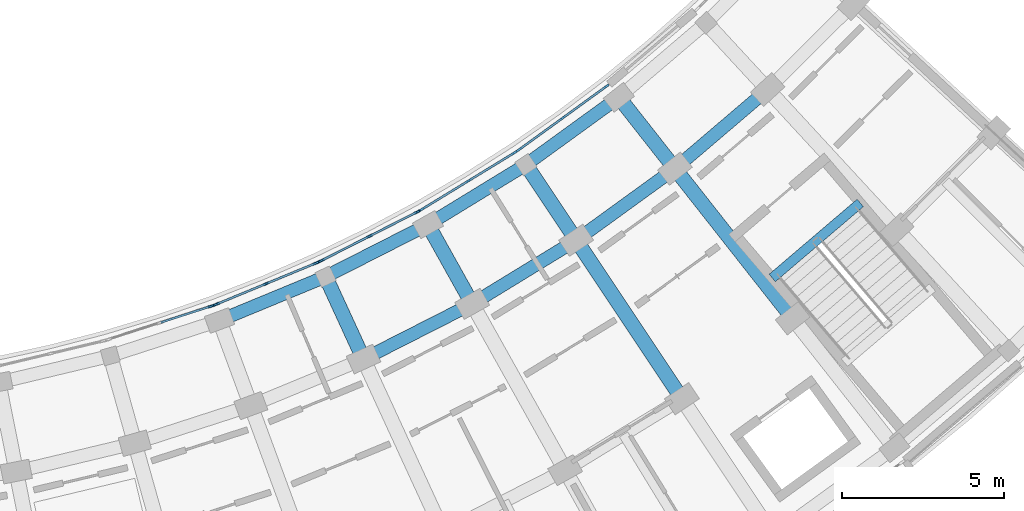
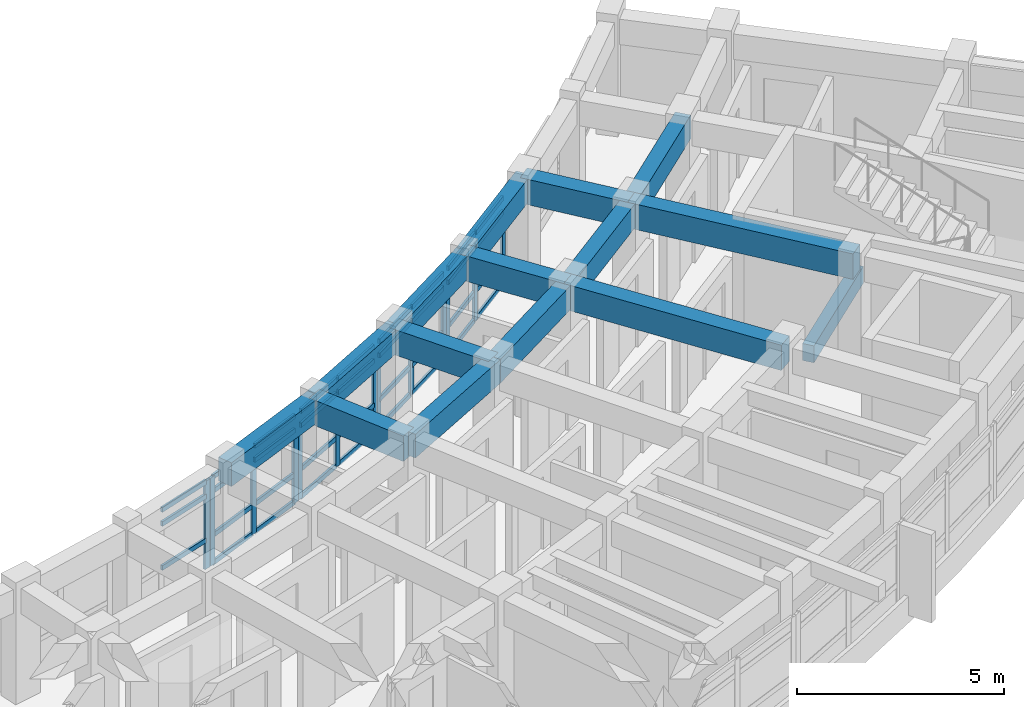
# One storey, part 39 of 83: 48 members, 15 beams, 5 elements without a shape of their own.
"""IFC4 building model written with IfcOpenShell, lengths in metres."""

from ifc_helpers import new_model, si_unit, direction, frame, origin, origin_2d, place, context, subcontext, project, spatial, rectangle, extrude, material, material_profile, profile_set, type_object, element, aggregate, save


model = new_model("IFC4")

# Units and contexts
model_context = context("Model", 3, precision=1e-05, world=origin(), true_north=direction((0.0, 1.0)))
body_context = subcontext(model_context, "Body", "Model", "MODEL_VIEW")
ifc_project = project(units=[si_unit("LENGTHUNIT", "METRE"), si_unit("AREAUNIT", "SQUARE_METRE"), si_unit("VOLUMEUNIT", "CUBIC_METRE"), si_unit("PLANEANGLEUNIT", "RADIAN"), si_unit("MASSUNIT", "GRAM", prefix="KILO")], contexts=[model_context])

# Site, building, storey
site_placement = place(None, origin())
site = spatial("IfcSite", under=ifc_project, at=site_placement, CompositionType="ELEMENT")
building_placement = place(site_placement, origin())
building = spatial("IfcBuilding", under=site, at=building_placement, Name="Zimvara Arc Housing Community", CompositionType="ELEMENT")
storey_placement = place(building_placement, frame((0.0, 0.0, 4.5)))
storey = spatial("IfcBuildingStorey", under=building, at=storey_placement, Name="L01", CompositionType="ELEMENT", Elevation=4.5)

# Beams
ifc_material_1 = material(Name="Concrete C40/50", Category="concrete")
ifc_material_profile_1 = material_profile(ifc_material_1, rectangle(XDim=0.300048828125, YDim=0.5, at=origin_2d()), Name="RC 300x500")
ifc_profile_set_1 = profile_set([ifc_material_profile_1], Name="Concrete C40/50")
beam_type_1 = type_object("IfcBeamType", Name="BM-RC-300x500", PredefinedType="BEAM", material=ifc_profile_set_1)
beam_1_placement = place(storey_placement, frame((158.617919921875, 68.826904296875, -0.25), z_axis=(0.760986863652, 0.648767287515, 0.0), x_axis=(-0.648767287515, 0.760986863652, 0.0)))
element("IfcBeam", 1, at=beam_1_placement, inside=storey, type_object=beam_type_1, Name="bm:stair_trim:ST-D2:L01:near", PredefinedType="BEAM", context=body_context, shape_type="SweptSolid", body=[
    extrude(rectangle(XDim=0.300048828125, YDim=0.5, at=origin_2d()), origin(), (0.0, 0.0, 1.0), 3.570068359375),
])
ifc_material_2 = material(Name="Concrete C40/50", Category="concrete")
ifc_material_profile_2 = material_profile(ifc_material_2, rectangle(XDim=0.39990234375, YDim=0.699951171875, at=origin_2d()), Name="RC 400x700")
ifc_profile_set_2 = profile_set([ifc_material_profile_2], Name="Concrete C40/50")
beam_type_2 = type_object("IfcBeamType", Name="BM-RC-400x700", PredefinedType="BEAM", material=ifc_profile_set_2)
beam_2_placement = place(storey_placement, frame((141.559814453125, 67.51513671875, 3.010009765625), z_axis=(0.924206445561, 0.381893238987, 0.0), x_axis=(-0.381893238987, 0.924206445561, 0.0)))
element("IfcBeam", 2, at=beam_2_placement, inside=storey, type_object=beam_type_2, Name="bm:blkD:L01:chord:r0:b4", PredefinedType="BEAM", context=body_context, shape_type="SweptSolid", body=[
    extrude(rectangle(XDim=0.39990234375, YDim=0.699951171875, at=origin_2d()), origin(), (0.0, 0.0, 1.0), 3.54296875),
])
beam_3_placement = place(storey_placement, frame((144.834228515625, 68.8681640625, 3.010009765625), z_axis=(0.891388433472, 0.453240179895, 0.0), x_axis=(-0.453240179895, 0.891388433472, 0.0)))
element("IfcBeam", 3, at=beam_3_placement, inside=storey, type_object=beam_type_2, Name="bm:blkD:L01:chord:r0:b5", PredefinedType="BEAM", context=body_context, shape_type="SweptSolid", body=[
    extrude(rectangle(XDim=0.39990234375, YDim=0.699951171875, at=origin_2d()), origin(), (0.0, 0.0, 1.0), 3.542724609375),
])
beam_4_placement = place(storey_placement, frame((147.9921875, 70.473876953125, 3.010009765625), z_axis=(0.853114855616, 0.52172314797, 0.0), x_axis=(-0.52172314797, 0.853114855616, 0.0)))
element("IfcBeam", 4, at=beam_4_placement, inside=storey, type_object=beam_type_2, Name="bm:blkD:L01:chord:r0:b6", PredefinedType="BEAM", context=body_context, shape_type="SweptSolid", body=[
    extrude(rectangle(XDim=0.39990234375, YDim=0.699951171875, at=origin_2d()), origin(), (0.0, 0.0, 1.0), 3.54296875),
])
beam_5_placement = place(storey_placement, frame((151.0146484375, 72.322265625, 3.010009765625), z_axis=(0.809531019898, 0.587077105517, 0.0), x_axis=(-0.587077105517, 0.809531019898, 0.0)))
element("IfcBeam", 5, at=beam_5_placement, inside=storey, type_object=beam_type_2, Name="bm:blkD:L01:chord:r0:b7", PredefinedType="BEAM", context=body_context, shape_type="SweptSolid", body=[
    extrude(rectangle(XDim=0.39990234375, YDim=0.699951171875, at=origin_2d()), origin(), (0.0, 0.0, 1.0), 3.542724609375),
])
for number, where, z_axis, x_axis, name in (
    (6, (146.004150390625, 66.32421875, 3.010009765625), (0.891396237924, 0.453224830536, 0.0), (-0.453224830536, 0.891396237924, 0.0), "bm:blkD:L01:chord:r1:b5"),
    (7, (149.358154296875, 68.029541015625, 3.010009765625), (0.853105356478, 0.521738680517, 0.0), (-0.521738680517, 0.853105356478, 0.0), "bm:blkD:L01:chord:r1:b6"),
    (8, (152.568115234375, 69.99267578125, 3.010009765625), (0.809521012702, 0.58709090437, 0.0), (-0.58709090437, 0.809521012702, 0.0), "bm:blkD:L01:chord:r1:b7"),
    (9, (155.614013671875, 72.20166015625, 3.010009765625), (0.760971502801, 0.648785304955, 0.0), (-0.648785304955, 0.760971502801, 0.0), "bm:blkD:L01:chord:r1:b8"),
):
    element("IfcBeam", number, at=place(storey_placement, frame(where, z_axis=z_axis, x_axis=x_axis)), inside=storey, type_object=beam_type_2, Name=name, PredefinedType="BEAM", context=body_context, shape_type="SweptSolid", body=[
        extrude(rectangle(XDim=0.39990234375, YDim=0.699951171875, at=origin_2d()), origin(), (0.0, 0.0, 1.0), 3.7626953125),
    ])
ifc_material_3 = material(Name="Concrete C40/50", Category="concrete")
ifc_material_profile_3 = material_profile(ifc_material_3, rectangle(XDim=0.449951171875, YDim=0.75, at=origin_2d()), Name="RC 450x750")
ifc_profile_set_3 = profile_set([ifc_material_profile_3], Name="Concrete C40/50")
beam_type_3 = type_object("IfcBeamType", Name="BM-RC-450x750", PredefinedType="BEAM", material=ifc_profile_set_3)
for number, where, z_axis, x_axis, name in (
    (10, (144.834228515625, 68.8681640625, 2.985107421875), (0.417819250126, -0.908530172435, 0.0), (0.908530172435, 0.417819250126, 0.0), "bm:blkD:L01:rad:b5:r01"),
    (11, (147.9921875, 70.473876953125, 2.985107421875), (0.487825265957, -0.87294129808, 0.0), (0.87294129808, 0.487825265957, 0.0), "bm:blkD:L01:rad:b6:r01"),
    (12, (151.0146484375, 72.322265625, 2.985107421875), (0.55480079798, -0.831983217716, 0.0), (0.831983217716, 0.55480079798, 0.0), "bm:blkD:L01:rad:b7:r01"),
):
    element("IfcBeam", number, at=place(storey_placement, frame(where, z_axis=z_axis, x_axis=x_axis)), inside=storey, type_object=beam_type_3, Name=name, PredefinedType="BEAM", context=body_context, shape_type="SweptSolid", body=[
        extrude(rectangle(XDim=0.449951171875, YDim=0.75, at=origin_2d()), origin(), (0.0, 0.0, 1.0), 2.800048828125),
    ])
beam_6_placement = place(storey_placement, frame((152.568115234375, 69.99267578125, 2.985107421875), z_axis=(0.554843914175, -0.831954464441, 0.0), x_axis=(0.831954464441, 0.554843914175, 0.0)))
element("IfcBeam", 13, at=beam_6_placement, inside=storey, type_object=beam_type_3, Name="bm:blkD:L01:rad:b7:r12", PredefinedType="BEAM", context=body_context, shape_type="SweptSolid", body=[
    extrude(rectangle(XDim=0.449951171875, YDim=0.75, at=origin_2d()), origin(), (0.0, 0.0, 1.0), 5.8798828125),
])
beam_7_placement = place(storey_placement, frame((153.882568359375, 74.402099609375, 2.985107421875), z_axis=(0.618379767762, -0.785879420028, 0.0), x_axis=(0.785879420028, 0.618379767762, 0.0)))
element("IfcBeam", 14, at=beam_7_placement, inside=storey, type_object=beam_type_3, Name="bm:blkD:L01:rad:b8:r01", PredefinedType="BEAM", context=body_context, shape_type="SweptSolid", body=[
    extrude(rectangle(XDim=0.449951171875, YDim=0.75, at=origin_2d()), origin(), (0.0, 0.0, 1.0), 2.800048828125),
])
beam_8_placement = place(storey_placement, frame((155.614013671875, 72.20166015625, 2.985107421875), z_axis=(0.618431976389, -0.785838336161, 0.0), x_axis=(0.785838336161, 0.618431976389, 0.0)))
element("IfcBeam", 15, at=beam_8_placement, inside=storey, type_object=beam_type_3, Name="bm:blkD:L01:rad:b8:r12", PredefinedType="BEAM", context=body_context, shape_type="SweptSolid", body=[
    extrude(rectangle(XDim=0.449951171875, YDim=0.75, at=origin_2d()), origin(), (0.0, 0.0, 1.0), 5.880126953125),
])

# Curtain wall, member
ifc_material_4 = material(Name="Anodised Aluminium AW-6063", Category="aluminium")
curtain_wall_type_1 = type_object("IfcCurtainWallType", Name="CW-SYS-02", PredefinedType="USERDEFINED", material=ifc_material_4)
curtain_wall_1_placement = place(storey_placement, origin())
curtain_wall_1 = element("IfcCurtainWall", 16, at=curtain_wall_1_placement, inside=storey, type_object=curtain_wall_type_1, Name="cw:blkD:L01:in:b3", ObjectType="CURTAIN WALL", PredefinedType="USERDEFINED")
ifc_material_5 = material(Name="Anodised Aluminium AW-6063", Category="aluminium")
ifc_material_profile_4 = material_profile(ifc_material_5, rectangle(XDim=0.06494140625, YDim=0.179931640625, at=origin_2d()), Name="ALU 65x180")
ifc_profile_set_4 = profile_set([ifc_material_profile_4], Name="Anodised Aluminium AW-6063")
member_type_1 = type_object("IfcMemberType", Name="CWM-65x150", PredefinedType="MULLION", material=ifc_profile_set_4)
member_1_placement = place(storey_placement, frame((141.29931640625, 67.9560546875, 0.0), z_axis=(0.0, 0.0, 1.0), x_axis=(-0.308185223559, 0.951326373008, 0.0)))
member_1 = element("IfcMember", 17, at=member_1_placement, type_object=member_type_1, Name="CW02 mullion 3", PredefinedType="MULLION", context=body_context, shape_type="SweptSolid", body=[
    extrude(rectangle(XDim=0.06494140625, YDim=0.179931640625, at=origin_2d()), origin(), (0.0, 0.0, 1.0), 2.60009765625),
])

# Curtain wall, members
ifc_material_6 = material(Name="Anodised Aluminium AW-6063", Category="aluminium")
curtain_wall_type_2 = type_object("IfcCurtainWallType", Name="CW-SYS-04", PredefinedType="USERDEFINED", material=ifc_material_6)
curtain_wall_2_placement = place(storey_placement, origin())
curtain_wall_2 = element("IfcCurtainWall", 18, at=curtain_wall_2_placement, inside=storey, type_object=curtain_wall_type_2, Name="cw:blkD:L01:in:b4", ObjectType="CURTAIN WALL", PredefinedType="USERDEFINED")
member_2_placement = place(storey_placement, frame((141.47265625, 68.019775390625, 0.0), z_axis=(0.0, 0.0, 1.0), x_axis=(-0.381877167728, 0.924213086235, 0.0)))
member_2 = element("IfcMember", 19, at=member_2_placement, type_object=member_type_1, Name="CW04 mullion 1", PredefinedType="MULLION", context=body_context, shape_type="SweptSolid", body=[
    extrude(rectangle(XDim=0.06494140625, YDim=0.179931640625, at=origin_2d()), origin(), (0.0, 0.0, 1.0), 2.60009765625),
])
member_3_placement = place(storey_placement, frame((143.006103515625, 68.6533203125, 0.0), z_axis=(0.0, 0.0, 1.0), x_axis=(-0.381877167728, 0.924213086235, 0.0)))
member_3 = element("IfcMember", 20, at=member_3_placement, type_object=member_type_1, Name="CW04 mullion 2", PredefinedType="MULLION", context=body_context, shape_type="SweptSolid", body=[
    extrude(rectangle(XDim=0.06494140625, YDim=0.179931640625, at=origin_2d()), origin(), (0.0, 0.0, 1.0), 2.60009765625),
])
member_4_placement = place(storey_placement, frame((144.539794921875, 69.287109375, 0.0), z_axis=(0.0, 0.0, 1.0), x_axis=(-0.381877167728, 0.924213086235, 0.0)))
member_4 = element("IfcMember", 21, at=member_4_placement, type_object=member_type_1, Name="CW04 mullion 3", PredefinedType="MULLION", context=body_context, shape_type="SweptSolid", body=[
    extrude(rectangle(XDim=0.06494140625, YDim=0.179931640625, at=origin_2d()), origin(), (0.0, 0.0, 1.0), 2.60009765625),
])

ifc_material_7 = material(Name="Anodised Aluminium AW-6063", Category="aluminium")
curtain_wall_type_3 = type_object("IfcCurtainWallType", Name="CW-SYS-06", PredefinedType="USERDEFINED", material=ifc_material_7)
curtain_wall_3_placement = place(storey_placement, origin())
curtain_wall_3 = element("IfcCurtainWall", 22, at=curtain_wall_3_placement, inside=storey, type_object=curtain_wall_type_3, Name="cw:blkD:L01:in:b5", ObjectType="CURTAIN WALL", PredefinedType="USERDEFINED")
member_5_placement = place(storey_placement, frame((144.707763671875, 69.3642578125, 0.0), z_axis=(0.0, 0.0, 1.0), x_axis=(-0.453211411267, 0.89140306074, 0.0)))
member_5 = element("IfcMember", 23, at=member_5_placement, type_object=member_type_1, Name="CW06 mullion 1", PredefinedType="MULLION", context=body_context, shape_type="SweptSolid", body=[
    extrude(rectangle(XDim=0.06494140625, YDim=0.179931640625, at=origin_2d()), origin(), (0.0, 0.0, 1.0), 2.60009765625),
])
member_6_placement = place(storey_placement, frame((146.186767578125, 70.1162109375, 0.0), z_axis=(0.0, 0.0, 1.0), x_axis=(-0.453211411267, 0.89140306074, 0.0)))
member_6 = element("IfcMember", 24, at=member_6_placement, type_object=member_type_1, Name="CW06 mullion 2", PredefinedType="MULLION", context=body_context, shape_type="SweptSolid", body=[
    extrude(rectangle(XDim=0.06494140625, YDim=0.179931640625, at=origin_2d()), origin(), (0.0, 0.0, 1.0), 2.60009765625),
])
member_7_placement = place(storey_placement, frame((147.665771484375, 70.868408203125, 0.0), z_axis=(0.0, 0.0, 1.0), x_axis=(-0.453211411267, 0.89140306074, 0.0)))
member_7 = element("IfcMember", 25, at=member_7_placement, type_object=member_type_1, Name="CW06 mullion 3", PredefinedType="MULLION", context=body_context, shape_type="SweptSolid", body=[
    extrude(rectangle(XDim=0.06494140625, YDim=0.179931640625, at=origin_2d()), origin(), (0.0, 0.0, 1.0), 2.60009765625),
])

ifc_material_8 = material(Name="Anodised Aluminium AW-6063", Category="aluminium")
curtain_wall_type_4 = type_object("IfcCurtainWallType", Name="CW-SYS-08", PredefinedType="USERDEFINED", material=ifc_material_8)
curtain_wall_4_placement = place(storey_placement, origin())
curtain_wall_4 = element("IfcCurtainWall", 26, at=curtain_wall_4_placement, inside=storey, type_object=curtain_wall_type_4, Name="cw:blkD:L01:in:b6", ObjectType="CURTAIN WALL", PredefinedType="USERDEFINED")
member_8_placement = place(storey_placement, frame((147.8271484375, 70.95849609375, 0.0), z_axis=(0.0, 0.0, 1.0), x_axis=(-0.521754224526, 0.853095849943, 0.0)))
member_8 = element("IfcMember", 27, at=member_8_placement, type_object=member_type_1, Name="CW08 mullion 1", PredefinedType="MULLION", context=body_context, shape_type="SweptSolid", body=[
    extrude(rectangle(XDim=0.06494140625, YDim=0.179931640625, at=origin_2d()), origin(), (0.0, 0.0, 1.0), 2.60009765625),
])
member_9_placement = place(storey_placement, frame((149.24267578125, 71.82421875, 0.0), z_axis=(0.0, 0.0, 1.0), x_axis=(-0.521754224526, 0.853095849943, 0.0)))
member_9 = element("IfcMember", 28, at=member_9_placement, type_object=member_type_1, Name="CW08 mullion 2", PredefinedType="MULLION", context=body_context, shape_type="SweptSolid", body=[
    extrude(rectangle(XDim=0.06494140625, YDim=0.179931640625, at=origin_2d()), origin(), (0.0, 0.0, 1.0), 2.60009765625),
])
member_10_placement = place(storey_placement, frame((150.658203125, 72.68994140625, 0.0), z_axis=(0.0, 0.0, 1.0), x_axis=(-0.521754224526, 0.853095849943, 0.0)))
member_10 = element("IfcMember", 29, at=member_10_placement, type_object=member_type_1, Name="CW08 mullion 3", PredefinedType="MULLION", context=body_context, shape_type="SweptSolid", body=[
    extrude(rectangle(XDim=0.06494140625, YDim=0.179931640625, at=origin_2d()), origin(), (0.0, 0.0, 1.0), 2.60009765625),
])

curtain_wall_5_placement = place(storey_placement, origin())
curtain_wall_5 = element("IfcCurtainWall", 30, at=curtain_wall_5_placement, inside=storey, type_object=curtain_wall_type_1, Name="cw:blkD:L01:in:b7", ObjectType="CURTAIN WALL", PredefinedType="USERDEFINED")
member_11_placement = place(storey_placement, frame((150.81201171875, 72.79248046875, 0.0), z_axis=(0.0, 0.0, 1.0), x_axis=(-0.587079343755, 0.809529396709, 0.0)))
member_11 = element("IfcMember", 31, at=member_11_placement, type_object=member_type_1, Name="CW02 mullion 1", PredefinedType="MULLION", context=body_context, shape_type="SweptSolid", body=[
    extrude(rectangle(XDim=0.06494140625, YDim=0.179931640625, at=origin_2d()), origin(), (0.0, 0.0, 1.0), 2.60009765625),
])
member_12_placement = place(storey_placement, frame((152.1552734375, 73.7666015625, 0.0), z_axis=(0.0, 0.0, 1.0), x_axis=(-0.587079343755, 0.809529396709, 0.0)))
member_12 = element("IfcMember", 32, at=member_12_placement, type_object=member_type_1, Name="CW02 mullion 2", PredefinedType="MULLION", context=body_context, shape_type="SweptSolid", body=[
    extrude(rectangle(XDim=0.06494140625, YDim=0.179931640625, at=origin_2d()), origin(), (0.0, 0.0, 1.0), 2.60009765625),
])
member_13_placement = place(storey_placement, frame((153.49853515625, 74.74072265625, 0.0), z_axis=(0.0, 0.0, 1.0), x_axis=(-0.587079343755, 0.809529396709, 0.0)))
member_13 = element("IfcMember", 33, at=member_13_placement, type_object=member_type_1, Name="CW02 mullion 3", PredefinedType="MULLION", context=body_context, shape_type="SweptSolid", body=[
    extrude(rectangle(XDim=0.06494140625, YDim=0.179931640625, at=origin_2d()), origin(), (0.0, 0.0, 1.0), 2.60009765625),
])

# Member
ifc_material_9 = material(Name="Anodised Aluminium AW-6063", Category="aluminium")
ifc_material_profile_5 = material_profile(ifc_material_9, rectangle(XDim=0.06494140625, YDim=0.139892578125, at=origin_2d()), Name="ALU 65x140")
ifc_profile_set_5 = profile_set([ifc_material_profile_5], Name="Anodised Aluminium AW-6063")
member_type_2 = type_object("IfcMemberType", Name="CWT-65x120", PredefinedType="USERDEFINED", material=ifc_profile_set_5)
member_14_placement = place(storey_placement, frame((139.751708984375, 67.45458984375, 0.85009765625), z_axis=(0.951344209493, 0.308130159289, 0.0), x_axis=(-0.308130159289, 0.951344209493, 0.0)))
member_14 = element("IfcMember", 34, at=member_14_placement, type_object=member_type_2, Name="CW02 transom 2.2", ObjectType="TRANSOM", PredefinedType="USERDEFINED", context=body_context, shape_type="SweptSolid", body=[
    extrude(rectangle(XDim=0.06494140625, YDim=0.139892578125, at=origin_2d()), origin(), (0.0, 0.0, 1.0), 1.59423828125),
])

member_15_placement = place(storey_placement, frame((139.751708984375, 67.45458984375, 2.14990234375), z_axis=(0.951344209493, 0.308130159289, 0.0), x_axis=(-0.308130159289, 0.951344209493, 0.0)))
member_15 = element("IfcMember", 35, at=member_15_placement, type_object=member_type_2, Name="CW02 transom 2.3", ObjectType="TRANSOM", PredefinedType="USERDEFINED", context=body_context, shape_type="SweptSolid", body=[
    extrude(rectangle(XDim=0.06494140625, YDim=0.139892578125, at=origin_2d()), origin(), (0.0, 0.0, 1.0), 1.59423828125),
])

member_16_placement = place(storey_placement, frame((139.751708984375, 67.45458984375, 2.5673828125), z_axis=(0.951344209493, 0.308130159289, 0.0), x_axis=(-0.308130159289, 0.951344209493, 0.0)))
member_16 = element("IfcMember", 36, at=member_16_placement, type_object=member_type_2, Name="CW02 transom 2.4", ObjectType="TRANSOM", PredefinedType="USERDEFINED", context=body_context, shape_type="SweptSolid", body=[
    extrude(rectangle(XDim=0.06494140625, YDim=0.139892578125, at=origin_2d()), origin(), (0.0, 0.0, 1.0), 1.59423828125),
])

aggregate(curtain_wall_1, [member_1, member_14, member_15, member_16])

member_17_placement = place(storey_placement, frame((141.502685546875, 68.0322265625, 0.032470703125), z_axis=(0.924246154264, 0.381797127188, 0.0), x_axis=(-0.381797127188, 0.924246154264, 0.0)))
member_17 = element("IfcMember", 37, at=member_17_placement, type_object=member_type_2, Name="CW04 transom 1.1", ObjectType="TRANSOM", PredefinedType="USERDEFINED", context=body_context, shape_type="SweptSolid", body=[
    extrude(rectangle(XDim=0.06494140625, YDim=0.139892578125, at=origin_2d()), origin(), (0.0, 0.0, 1.0), 1.59423828125),
])

member_18_placement = place(storey_placement, frame((141.502685546875, 68.0322265625, 0.85009765625), z_axis=(0.924246154264, 0.381797127188, 0.0), x_axis=(-0.381797127188, 0.924246154264, 0.0)))
member_18 = element("IfcMember", 38, at=member_18_placement, type_object=member_type_2, Name="CW04 transom 1.2", ObjectType="TRANSOM", PredefinedType="USERDEFINED", context=body_context, shape_type="SweptSolid", body=[
    extrude(rectangle(XDim=0.06494140625, YDim=0.139892578125, at=origin_2d()), origin(), (0.0, 0.0, 1.0), 1.59423828125),
])

member_19_placement = place(storey_placement, frame((141.502685546875, 68.0322265625, 2.14990234375), z_axis=(0.924246154264, 0.381797127188, 0.0), x_axis=(-0.381797127188, 0.924246154264, 0.0)))
member_19 = element("IfcMember", 39, at=member_19_placement, type_object=member_type_2, Name="CW04 transom 1.3", ObjectType="TRANSOM", PredefinedType="USERDEFINED", context=body_context, shape_type="SweptSolid", body=[
    extrude(rectangle(XDim=0.06494140625, YDim=0.139892578125, at=origin_2d()), origin(), (0.0, 0.0, 1.0), 1.59423828125),
])

member_20_placement = place(storey_placement, frame((141.502685546875, 68.0322265625, 2.5673828125), z_axis=(0.924246154264, 0.381797127188, 0.0), x_axis=(-0.381797127188, 0.924246154264, 0.0)))
member_20 = element("IfcMember", 40, at=member_20_placement, type_object=member_type_2, Name="CW04 transom 1.4", ObjectType="TRANSOM", PredefinedType="USERDEFINED", context=body_context, shape_type="SweptSolid", body=[
    extrude(rectangle(XDim=0.06494140625, YDim=0.139892578125, at=origin_2d()), origin(), (0.0, 0.0, 1.0), 1.59423828125),
])

member_21_placement = place(storey_placement, frame((143.036376953125, 68.665771484375, 0.032470703125), z_axis=(0.924192106257, 0.381927939189, 0.0), x_axis=(-0.381927939189, 0.924192106257, 0.0)))
member_21 = element("IfcMember", 41, at=member_21_placement, type_object=member_type_2, Name="CW04 transom 2.1", ObjectType="TRANSOM", PredefinedType="USERDEFINED", context=body_context, shape_type="SweptSolid", body=[
    extrude(rectangle(XDim=0.06494140625, YDim=0.139892578125, at=origin_2d()), origin(), (0.0, 0.0, 1.0), 1.59423828125),
])

member_22_placement = place(storey_placement, frame((143.036376953125, 68.665771484375, 0.85009765625), z_axis=(0.924192106257, 0.381927939189, 0.0), x_axis=(-0.381927939189, 0.924192106257, 0.0)))
member_22 = element("IfcMember", 42, at=member_22_placement, type_object=member_type_2, Name="CW04 transom 2.2", ObjectType="TRANSOM", PredefinedType="USERDEFINED", context=body_context, shape_type="SweptSolid", body=[
    extrude(rectangle(XDim=0.06494140625, YDim=0.139892578125, at=origin_2d()), origin(), (0.0, 0.0, 1.0), 1.59423828125),
])

member_23_placement = place(storey_placement, frame((143.036376953125, 68.665771484375, 2.14990234375), z_axis=(0.924192106257, 0.381927939189, 0.0), x_axis=(-0.381927939189, 0.924192106257, 0.0)))
member_23 = element("IfcMember", 43, at=member_23_placement, type_object=member_type_2, Name="CW04 transom 2.3", ObjectType="TRANSOM", PredefinedType="USERDEFINED", context=body_context, shape_type="SweptSolid", body=[
    extrude(rectangle(XDim=0.06494140625, YDim=0.139892578125, at=origin_2d()), origin(), (0.0, 0.0, 1.0), 1.59423828125),
])

member_24_placement = place(storey_placement, frame((143.036376953125, 68.665771484375, 2.5673828125), z_axis=(0.924192106257, 0.381927939189, 0.0), x_axis=(-0.381927939189, 0.924192106257, 0.0)))
member_24 = element("IfcMember", 44, at=member_24_placement, type_object=member_type_2, Name="CW04 transom 2.4", ObjectType="TRANSOM", PredefinedType="USERDEFINED", context=body_context, shape_type="SweptSolid", body=[
    extrude(rectangle(XDim=0.06494140625, YDim=0.139892578125, at=origin_2d()), origin(), (0.0, 0.0, 1.0), 1.59423828125),
])

aggregate(curtain_wall_2, [member_2, member_3, member_4, member_17, member_18, member_19, member_20, member_21, member_22, member_23, member_24])

member_25_placement = place(storey_placement, frame((144.736572265625, 69.37890625, 0.032470703125), z_axis=(0.891374643948, 0.453267298761, 0.0), x_axis=(-0.453267298761, 0.891374643948, 0.0)))
member_25 = element("IfcMember", 45, at=member_25_placement, type_object=member_type_2, Name="CW06 transom 1.1", ObjectType="TRANSOM", PredefinedType="USERDEFINED", context=body_context, shape_type="SweptSolid", body=[
    extrude(rectangle(XDim=0.06494140625, YDim=0.139892578125, at=origin_2d()), origin(), (0.0, 0.0, 1.0), 1.59423828125),
])

member_26_placement = place(storey_placement, frame((144.736572265625, 69.37890625, 0.85009765625), z_axis=(0.891374643948, 0.453267298761, 0.0), x_axis=(-0.453267298761, 0.891374643948, 0.0)))
member_26 = element("IfcMember", 46, at=member_26_placement, type_object=member_type_2, Name="CW06 transom 1.2", ObjectType="TRANSOM", PredefinedType="USERDEFINED", context=body_context, shape_type="SweptSolid", body=[
    extrude(rectangle(XDim=0.06494140625, YDim=0.139892578125, at=origin_2d()), origin(), (0.0, 0.0, 1.0), 1.59423828125),
])

member_27_placement = place(storey_placement, frame((144.736572265625, 69.37890625, 2.14990234375), z_axis=(0.891374643948, 0.453267298761, 0.0), x_axis=(-0.453267298761, 0.891374643948, 0.0)))
member_27 = element("IfcMember", 47, at=member_27_placement, type_object=member_type_2, Name="CW06 transom 1.3", ObjectType="TRANSOM", PredefinedType="USERDEFINED", context=body_context, shape_type="SweptSolid", body=[
    extrude(rectangle(XDim=0.06494140625, YDim=0.139892578125, at=origin_2d()), origin(), (0.0, 0.0, 1.0), 1.59423828125),
])

member_28_placement = place(storey_placement, frame((144.736572265625, 69.37890625, 2.5673828125), z_axis=(0.891374643948, 0.453267298761, 0.0), x_axis=(-0.453267298761, 0.891374643948, 0.0)))
member_28 = element("IfcMember", 48, at=member_28_placement, type_object=member_type_2, Name="CW06 transom 1.4", ObjectType="TRANSOM", PredefinedType="USERDEFINED", context=body_context, shape_type="SweptSolid", body=[
    extrude(rectangle(XDim=0.06494140625, YDim=0.139892578125, at=origin_2d()), origin(), (0.0, 0.0, 1.0), 1.59423828125),
])

member_29_placement = place(storey_placement, frame((146.2158203125, 70.131103515625, 0.032470703125), z_axis=(0.891436509542, 0.453145616172, 0.0), x_axis=(-0.453145616172, 0.891436509542, 0.0)))
member_29 = element("IfcMember", 49, at=member_29_placement, type_object=member_type_2, Name="CW06 transom 2.1", ObjectType="TRANSOM", PredefinedType="USERDEFINED", context=body_context, shape_type="SweptSolid", body=[
    extrude(rectangle(XDim=0.06494140625, YDim=0.139892578125, at=origin_2d()), origin(), (0.0, 0.0, 1.0), 1.59423828125),
])

member_30_placement = place(storey_placement, frame((146.2158203125, 70.131103515625, 0.85009765625), z_axis=(0.891436509542, 0.453145616172, 0.0), x_axis=(-0.453145616172, 0.891436509542, 0.0)))
member_30 = element("IfcMember", 50, at=member_30_placement, type_object=member_type_2, Name="CW06 transom 2.2", ObjectType="TRANSOM", PredefinedType="USERDEFINED", context=body_context, shape_type="SweptSolid", body=[
    extrude(rectangle(XDim=0.06494140625, YDim=0.139892578125, at=origin_2d()), origin(), (0.0, 0.0, 1.0), 1.59423828125),
])

member_31_placement = place(storey_placement, frame((146.2158203125, 70.131103515625, 2.14990234375), z_axis=(0.891436509542, 0.453145616172, 0.0), x_axis=(-0.453145616172, 0.891436509542, 0.0)))
member_31 = element("IfcMember", 51, at=member_31_placement, type_object=member_type_2, Name="CW06 transom 2.3", ObjectType="TRANSOM", PredefinedType="USERDEFINED", context=body_context, shape_type="SweptSolid", body=[
    extrude(rectangle(XDim=0.06494140625, YDim=0.139892578125, at=origin_2d()), origin(), (0.0, 0.0, 1.0), 1.59423828125),
])

member_32_placement = place(storey_placement, frame((146.2158203125, 70.131103515625, 2.5673828125), z_axis=(0.891436509542, 0.453145616172, 0.0), x_axis=(-0.453145616172, 0.891436509542, 0.0)))
member_32 = element("IfcMember", 52, at=member_32_placement, type_object=member_type_2, Name="CW06 transom 2.4", ObjectType="TRANSOM", PredefinedType="USERDEFINED", context=body_context, shape_type="SweptSolid", body=[
    extrude(rectangle(XDim=0.06494140625, YDim=0.139892578125, at=origin_2d()), origin(), (0.0, 0.0, 1.0), 1.59423828125),
])

aggregate(curtain_wall_3, [member_5, member_6, member_7, member_25, member_26, member_27, member_28, member_29, member_30, member_31, member_32])

member_33_placement = place(storey_placement, frame((147.85498046875, 70.975341796875, 0.032470703125), z_axis=(0.853043286851, 0.521840158246, 0.0), x_axis=(-0.521840158246, 0.853043286851, 0.0)))
member_33 = element("IfcMember", 53, at=member_33_placement, type_object=member_type_2, Name="CW08 transom 1.1", ObjectType="TRANSOM", PredefinedType="USERDEFINED", context=body_context, shape_type="SweptSolid", body=[
    extrude(rectangle(XDim=0.06494140625, YDim=0.139892578125, at=origin_2d()), origin(), (0.0, 0.0, 1.0), 1.594482421875),
])

member_34_placement = place(storey_placement, frame((147.85498046875, 70.975341796875, 0.85009765625), z_axis=(0.853043286851, 0.521840158246, 0.0), x_axis=(-0.521840158246, 0.853043286851, 0.0)))
member_34 = element("IfcMember", 54, at=member_34_placement, type_object=member_type_2, Name="CW08 transom 1.2", ObjectType="TRANSOM", PredefinedType="USERDEFINED", context=body_context, shape_type="SweptSolid", body=[
    extrude(rectangle(XDim=0.06494140625, YDim=0.139892578125, at=origin_2d()), origin(), (0.0, 0.0, 1.0), 1.594482421875),
])

member_35_placement = place(storey_placement, frame((147.85498046875, 70.975341796875, 2.14990234375), z_axis=(0.853043286851, 0.521840158246, 0.0), x_axis=(-0.521840158246, 0.853043286851, 0.0)))
member_35 = element("IfcMember", 55, at=member_35_placement, type_object=member_type_2, Name="CW08 transom 1.3", ObjectType="TRANSOM", PredefinedType="USERDEFINED", context=body_context, shape_type="SweptSolid", body=[
    extrude(rectangle(XDim=0.06494140625, YDim=0.139892578125, at=origin_2d()), origin(), (0.0, 0.0, 1.0), 1.594482421875),
])

member_36_placement = place(storey_placement, frame((147.85498046875, 70.975341796875, 2.5673828125), z_axis=(0.853043286851, 0.521840158246, 0.0), x_axis=(-0.521840158246, 0.853043286851, 0.0)))
member_36 = element("IfcMember", 56, at=member_36_placement, type_object=member_type_2, Name="CW08 transom 1.4", ObjectType="TRANSOM", PredefinedType="USERDEFINED", context=body_context, shape_type="SweptSolid", body=[
    extrude(rectangle(XDim=0.06494140625, YDim=0.139892578125, at=origin_2d()), origin(), (0.0, 0.0, 1.0), 1.594482421875),
])

member_37_placement = place(storey_placement, frame((149.2705078125, 71.841064453125, 0.032470703125), z_axis=(0.853043286851, 0.521840158246, 0.0), x_axis=(-0.521840158246, 0.853043286851, 0.0)))
member_37 = element("IfcMember", 57, at=member_37_placement, type_object=member_type_2, Name="CW08 transom 2.1", ObjectType="TRANSOM", PredefinedType="USERDEFINED", context=body_context, shape_type="SweptSolid", body=[
    extrude(rectangle(XDim=0.06494140625, YDim=0.139892578125, at=origin_2d()), origin(), (0.0, 0.0, 1.0), 1.594482421875),
])

member_38_placement = place(storey_placement, frame((149.2705078125, 71.841064453125, 0.85009765625), z_axis=(0.853043286851, 0.521840158246, 0.0), x_axis=(-0.521840158246, 0.853043286851, 0.0)))
member_38 = element("IfcMember", 58, at=member_38_placement, type_object=member_type_2, Name="CW08 transom 2.2", ObjectType="TRANSOM", PredefinedType="USERDEFINED", context=body_context, shape_type="SweptSolid", body=[
    extrude(rectangle(XDim=0.06494140625, YDim=0.139892578125, at=origin_2d()), origin(), (0.0, 0.0, 1.0), 1.594482421875),
])

member_39_placement = place(storey_placement, frame((149.2705078125, 71.841064453125, 2.14990234375), z_axis=(0.853043286851, 0.521840158246, 0.0), x_axis=(-0.521840158246, 0.853043286851, 0.0)))
member_39 = element("IfcMember", 59, at=member_39_placement, type_object=member_type_2, Name="CW08 transom 2.3", ObjectType="TRANSOM", PredefinedType="USERDEFINED", context=body_context, shape_type="SweptSolid", body=[
    extrude(rectangle(XDim=0.06494140625, YDim=0.139892578125, at=origin_2d()), origin(), (0.0, 0.0, 1.0), 1.594482421875),
])

member_40_placement = place(storey_placement, frame((149.2705078125, 71.841064453125, 2.5673828125), z_axis=(0.853043286851, 0.521840158246, 0.0), x_axis=(-0.521840158246, 0.853043286851, 0.0)))
member_40 = element("IfcMember", 60, at=member_40_placement, type_object=member_type_2, Name="CW08 transom 2.4", ObjectType="TRANSOM", PredefinedType="USERDEFINED", context=body_context, shape_type="SweptSolid", body=[
    extrude(rectangle(XDim=0.06494140625, YDim=0.139892578125, at=origin_2d()), origin(), (0.0, 0.0, 1.0), 1.594482421875),
])

aggregate(curtain_wall_4, [member_8, member_9, member_10, member_33, member_34, member_35, member_36, member_37, member_38, member_39, member_40])

member_41_placement = place(storey_placement, frame((150.83837890625, 72.8115234375, 0.032470703125), z_axis=(0.809490349774, 0.587133182185, 0.0), x_axis=(-0.587133182185, 0.809490349774, 0.0)))
member_41 = element("IfcMember", 61, at=member_41_placement, type_object=member_type_2, Name="CW02 transom 1.1", ObjectType="TRANSOM", PredefinedType="USERDEFINED", context=body_context, shape_type="SweptSolid", body=[
    extrude(rectangle(XDim=0.06494140625, YDim=0.139892578125, at=origin_2d()), origin(), (0.0, 0.0, 1.0), 1.59423828125),
])

member_42_placement = place(storey_placement, frame((150.83837890625, 72.8115234375, 0.85009765625), z_axis=(0.809490349774, 0.587133182185, 0.0), x_axis=(-0.587133182185, 0.809490349774, 0.0)))
member_42 = element("IfcMember", 62, at=member_42_placement, type_object=member_type_2, Name="CW02 transom 1.2", ObjectType="TRANSOM", PredefinedType="USERDEFINED", context=body_context, shape_type="SweptSolid", body=[
    extrude(rectangle(XDim=0.06494140625, YDim=0.139892578125, at=origin_2d()), origin(), (0.0, 0.0, 1.0), 1.59423828125),
])

member_43_placement = place(storey_placement, frame((150.83837890625, 72.8115234375, 2.14990234375), z_axis=(0.809490349774, 0.587133182185, 0.0), x_axis=(-0.587133182185, 0.809490349774, 0.0)))
member_43 = element("IfcMember", 63, at=member_43_placement, type_object=member_type_2, Name="CW02 transom 1.3", ObjectType="TRANSOM", PredefinedType="USERDEFINED", context=body_context, shape_type="SweptSolid", body=[
    extrude(rectangle(XDim=0.06494140625, YDim=0.139892578125, at=origin_2d()), origin(), (0.0, 0.0, 1.0), 1.59423828125),
])

member_44_placement = place(storey_placement, frame((150.83837890625, 72.8115234375, 2.5673828125), z_axis=(0.809490349774, 0.587133182185, 0.0), x_axis=(-0.587133182185, 0.809490349774, 0.0)))
member_44 = element("IfcMember", 64, at=member_44_placement, type_object=member_type_2, Name="CW02 transom 1.4", ObjectType="TRANSOM", PredefinedType="USERDEFINED", context=body_context, shape_type="SweptSolid", body=[
    extrude(rectangle(XDim=0.06494140625, YDim=0.139892578125, at=origin_2d()), origin(), (0.0, 0.0, 1.0), 1.59423828125),
])

member_45_placement = place(storey_placement, frame((152.181640625, 73.78564453125, 0.032470703125), z_axis=(0.809490349774, 0.587133182185, 0.0), x_axis=(-0.587133182185, 0.809490349774, 0.0)))
member_45 = element("IfcMember", 65, at=member_45_placement, type_object=member_type_2, Name="CW02 transom 2.1", ObjectType="TRANSOM", PredefinedType="USERDEFINED", context=body_context, shape_type="SweptSolid", body=[
    extrude(rectangle(XDim=0.06494140625, YDim=0.139892578125, at=origin_2d()), origin(), (0.0, 0.0, 1.0), 1.59423828125),
])

member_46_placement = place(storey_placement, frame((152.181640625, 73.78564453125, 0.85009765625), z_axis=(0.809490349774, 0.587133182185, 0.0), x_axis=(-0.587133182185, 0.809490349774, 0.0)))
member_46 = element("IfcMember", 66, at=member_46_placement, type_object=member_type_2, Name="CW02 transom 2.2", ObjectType="TRANSOM", PredefinedType="USERDEFINED", context=body_context, shape_type="SweptSolid", body=[
    extrude(rectangle(XDim=0.06494140625, YDim=0.139892578125, at=origin_2d()), origin(), (0.0, 0.0, 1.0), 1.59423828125),
])

member_47_placement = place(storey_placement, frame((152.181640625, 73.78564453125, 2.14990234375), z_axis=(0.809490349774, 0.587133182185, 0.0), x_axis=(-0.587133182185, 0.809490349774, 0.0)))
member_47 = element("IfcMember", 67, at=member_47_placement, type_object=member_type_2, Name="CW02 transom 2.3", ObjectType="TRANSOM", PredefinedType="USERDEFINED", context=body_context, shape_type="SweptSolid", body=[
    extrude(rectangle(XDim=0.06494140625, YDim=0.139892578125, at=origin_2d()), origin(), (0.0, 0.0, 1.0), 1.59423828125),
])

member_48_placement = place(storey_placement, frame((152.181640625, 73.78564453125, 2.5673828125), z_axis=(0.809490349774, 0.587133182185, 0.0), x_axis=(-0.587133182185, 0.809490349774, 0.0)))
member_48 = element("IfcMember", 68, at=member_48_placement, type_object=member_type_2, Name="CW02 transom 2.4", ObjectType="TRANSOM", PredefinedType="USERDEFINED", context=body_context, shape_type="SweptSolid", body=[
    extrude(rectangle(XDim=0.06494140625, YDim=0.139892578125, at=origin_2d()), origin(), (0.0, 0.0, 1.0), 1.59423828125),
])

aggregate(curtain_wall_5, [member_11, member_12, member_13, member_41, member_42, member_43, member_44, member_45, member_46, member_47, member_48])

save(model, "model.ifc")
